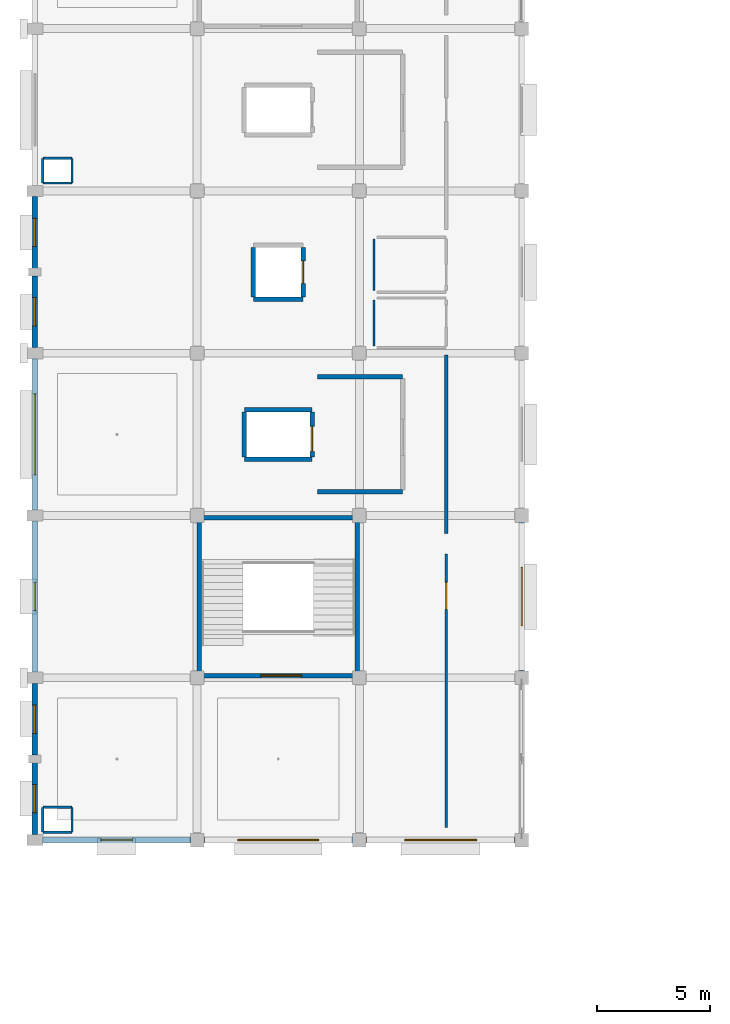
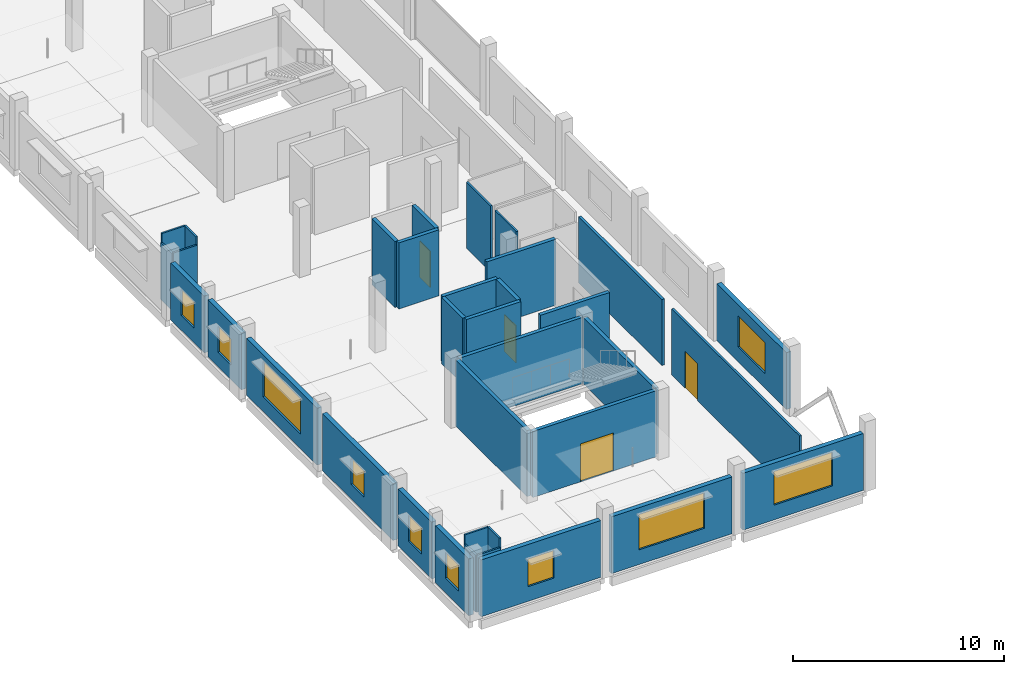
# One storey, part 14 of 26: 35 walls, 10 windows, 4 doors, 14 openings.
"""IFC4 building model written with IfcOpenShell, lengths in metres."""

import ifcopenshell
import ifcopenshell.guid

model = None  # the IFC model being written
_history = None  # IfcOwnerHistory: only IFC2X3 demands one
_inside = {}  # id of a spatial element -> (the spatial element, [elements in it])
_under = {}  # id of a project, library or spatial element -> (it, [spatial elements below it])
_declared = {}  # id of a project -> (the project, [libraries it declares])
_typed = {}  # id of a type object -> (the type object, [elements of that type])
_made_of = {}  # id of a material, layer set ... -> (it, [elements and type objects made of it])


def new_model(schema):
    """Start an empty IFC model of exactly this schema.

    Asked for "IFC4X3", IfcOpenShell would pick the latest addendum, in which some entities
    have other attributes; the version numbers below select the first issue.
    IFC2X3 requires an IfcOwnerHistory on every rooted entity: one is made here for all.
    """
    global model, _history
    if schema == "IFC4X3":
        model = ifcopenshell.file(schema_version=(4, 3, 0, 0))
    else:
        model = ifcopenshell.file(schema=schema)
    _inside.clear()
    _under.clear()
    _declared.clear()
    _typed.clear()
    _made_of.clear()
    _history = None
    if model.schema == "IFC2X3":
        org = make("IfcOrganization", Name="unknown")
        user = make(
            "IfcPersonAndOrganization",
            ThePerson=make("IfcPerson", FamilyName="unknown"),
            TheOrganization=org,
        )
        app = make(
            "IfcApplication",
            ApplicationDeveloper=org,
            Version="unknown",
            ApplicationFullName="unknown",
            ApplicationIdentifier="unknown",
        )
        _history = make(
            "IfcOwnerHistory",
            OwningUser=user,
            OwningApplication=app,
            ChangeAction="ADDED",
            CreationDate=0,
        )
    return model


def make(cls, **values):
    """One entity of the class cls with the attributes given. An attribute that is None is left unset."""
    return model.create_entity(
        cls, **{name: value for name, value in values.items() if value is not None}
    )


def rooted(cls, **values):
    """An entity with a GlobalId (a new one), such as an element, a storey or a relation."""
    return make(cls, GlobalId=ifcopenshell.guid.new(), OwnerHistory=_history, **values)


def si_unit(unit_type, name, prefix=None):
    """IfcSIUnit, for example si_unit("LENGTHUNIT", "METRE", prefix="MILLI")."""
    return make("IfcSIUnit", UnitType=unit_type, Prefix=prefix, Name=name)


def assignment(units):
    """IfcUnitAssignment: the units of a project."""
    return None if units is None else make("IfcUnitAssignment", Units=units)


def point(xyz):
    """IfcCartesianPoint."""
    return None if xyz is None else make("IfcCartesianPoint", Coordinates=xyz)


def direction(xyz):
    """IfcDirection."""
    return None if xyz is None else make("IfcDirection", DirectionRatios=xyz)


def frame(location, z_axis=None, x_axis=None):
    """IfcAxis2Placement3D, a coordinate frame: its origin and axes. An axis left out is left unset."""
    return make(
        "IfcAxis2Placement3D",
        Location=point(location),
        Axis=direction(z_axis),
        RefDirection=direction(x_axis),
    )


def frame_2d(location, x_axis=None):
    """IfcAxis2Placement2D, a coordinate frame in the plane: its origin and x axis."""
    return make(
        "IfcAxis2Placement2D", Location=point(location), RefDirection=direction(x_axis)
    )


def origin():
    """The frame at (0, 0, 0) with its axes left unset."""
    return frame((0.0, 0.0, 0.0))


def place(relative_to, where):
    """IfcLocalPlacement: puts the frame where relative to a parent placement (None: the world)."""
    return make(
        "IfcLocalPlacement", PlacementRelTo=relative_to, RelativePlacement=where
    )


def context(
    kind, dimensions, precision=None, world=None, true_north=None, identifier=None
):
    """IfcGeometricRepresentationContext, for example the 3D "Model" context."""
    return make(
        "IfcGeometricRepresentationContext",
        ContextIdentifier=identifier,
        ContextType=kind,
        CoordinateSpaceDimension=dimensions,
        Precision=precision,
        WorldCoordinateSystem=world,
        TrueNorth=true_north,
    )


def subcontext(parent, identifier, kind, view, scale=None):
    """IfcGeometricRepresentationSubContext, for example "Body" below "Model"."""
    return make(
        "IfcGeometricRepresentationSubContext",
        ContextIdentifier=identifier,
        ContextType=kind,
        ParentContext=parent,
        TargetScale=scale,
        TargetView=view,
    )


def project(units=None, contexts=None):
    """IfcProject with its units and contexts."""
    return rooted(
        "IfcProject",
        Name="project",
        RepresentationContexts=contexts,
        UnitsInContext=assignment(units),
    )


def spatial(cls, under=None, at=None, **own):
    """A site, building, storey or space (cls), placed at a placement, below another one or the project."""
    s = rooted(cls, ObjectPlacement=at, **own)
    if under is not None:
        _under.setdefault(under.id(), (under, []))[1].append(s)
    return s


def profile(cls, at=None, kind="AREA", **sizes):
    """A parametric profile (cls). Its sizes go by their IFC names, for example OverallWidth=200.0."""
    return make(cls, ProfileType=kind, Position=at, **sizes)


def rectangle(**sizes):
    """IfcRectangleProfileDef."""
    return profile("IfcRectangleProfileDef", **sizes)


def extrude(swept, where, along, depth):
    """IfcExtrudedAreaSolid: the profile swept, set in the frame where, extruded along a direction by depth."""
    return make(
        "IfcExtrudedAreaSolid",
        SweptArea=swept,
        Position=where,
        ExtrudedDirection=direction(along),
        Depth=depth,
    )


def shape(context_of_items, identifier, shape_type, items):
    """IfcShapeRepresentation: the items that make up one representation, for example the "Body"."""
    return make(
        "IfcShapeRepresentation",
        ContextOfItems=context_of_items,
        RepresentationIdentifier=identifier,
        RepresentationType=shape_type,
        Items=items,
    )


def material(Name=None, Category=None):
    """IfcMaterial."""
    return make("IfcMaterial", Name=Name, Category=Category)


def layer(
    of_material, thickness, ventilated=None, Name=None, Category=None, Priority=None
):
    """IfcMaterialLayer: one layer of a wall or slab, of a material (None: an air gap)."""
    return make(
        "IfcMaterialLayer",
        Material=of_material,
        LayerThickness=thickness,
        IsVentilated=ventilated,
        Name=Name,
        Category=Category,
        Priority=Priority,
    )


def layer_set(layers, Name=None):
    """IfcMaterialLayerSet."""
    return make("IfcMaterialLayerSet", MaterialLayers=layers, LayerSetName=Name)


def made_of(thing, what):
    """Note that an element or type object is made of a material, layer set ...; save() writes the relation."""
    if what is not None:
        _made_of.setdefault(what.id(), (what, []))[1].append(thing)
    return thing


def type_object(cls, material=None, **own):
    """A type object (cls), such as IfcWallType, which elements share."""
    return made_of(rooted(cls, **own), material)


def element(
    cls,
    number,
    at=None,
    inside=None,
    cuts=None,
    type_object=None,
    material=None,
    context=None,
    identifier="Body",
    shape_type=None,
    held_by="IfcProductDefinitionShape",
    body=None,
    shapes=None,
    **own,
):
    """One element of the class cls, such as IfcWall. Its Tag is "e" and its number.

    at: its placement. inside: the storey or other place that contains it. cuts: it is an
    opening in that element (IfcRelVoidsElement). A single representation is given by context,
    identifier, shape_type and body (its items); several are given by shapes. held_by: the class
    of the entity that holds the representations. save() writes the other relations.
    """
    e = rooted(cls, Tag="e%d" % number, ObjectPlacement=at, **own)
    if body is not None:
        shapes = [shape(context, identifier, shape_type, body)]
    if shapes is not None:
        e.Representation = make(held_by, Representations=shapes)
    if inside is not None:
        _inside.setdefault(inside.id(), (inside, []))[1].append(e)
    if cuts is not None:
        rooted(
            "IfcRelVoidsElement", RelatingBuildingElement=cuts, RelatedOpeningElement=e
        )
    if type_object is not None:
        _typed.setdefault(type_object.id(), (type_object, []))[1].append(e)
    return made_of(e, material)


def fill(opening, filler):
    """IfcRelFillsElement: the door or window that sits in an opening."""
    return rooted(
        "IfcRelFillsElement",
        RelatingOpeningElement=opening,
        RelatedBuildingElement=filler,
    )


def aggregate(whole, parts):
    """IfcRelAggregates: a whole, such as a stair, and the parts it consists of."""
    return rooted("IfcRelAggregates", RelatingObject=whole, RelatedObjects=parts)


def save(model, path):
    """Write the relations noted so far, then the file.

    IfcRelAggregates (storeys below a building ...), IfcRelContainedInSpatialStructure (elements
    in a storey), IfcRelDefinesByType, IfcRelAssociatesMaterial and IfcRelDeclares: one each for
    every whole, place, type object, material and project.
    """
    for whole, parts in _under.values():
        aggregate(whole, parts)
    for where, things in _inside.values():
        rooted(
            "IfcRelContainedInSpatialStructure",
            RelatedElements=things,
            RelatingStructure=where,
        )
    for kind, things in _typed.values():
        rooted("IfcRelDefinesByType", RelatedObjects=things, RelatingType=kind)
    for what, things in _made_of.values():
        rooted("IfcRelAssociatesMaterial", RelatedObjects=things, RelatingMaterial=what)
    for by, libraries in _declared.values():
        rooted("IfcRelDeclares", RelatingContext=by, RelatedDefinitions=libraries)
    model.write(path)


model = new_model("IFC4")

# Units and contexts
model_context = context("Model", 3, precision=1e-05, world=origin(), true_north=direction((0.0, 1.0)))
body_context = subcontext(model_context, "Body", "Model", "MODEL_VIEW")
ifc_project = project(units=[si_unit("LENGTHUNIT", "METRE"), si_unit("AREAUNIT", "SQUARE_METRE"), si_unit("VOLUMEUNIT", "CUBIC_METRE"), si_unit("PLANEANGLEUNIT", "RADIAN"), si_unit("MASSUNIT", "GRAM", prefix="KILO")], contexts=[model_context])

# Site, building, storey
site_placement = place(None, origin())
site = spatial("IfcSite", under=ifc_project, at=site_placement, CompositionType="ELEMENT")
building_placement = place(site_placement, origin())
building = spatial("IfcBuilding", under=site, at=building_placement, Name="Kangsadwip Square Police Headquarters", CompositionType="ELEMENT")
storey_placement = place(building_placement, frame((0.0, 0.0, 25.64990234375)))
storey = spatial("IfcBuildingStorey", under=building, at=storey_placement, Name="L06", CompositionType="ELEMENT", Elevation=25.64990234375)

# Wall, opening, door
ifc_material_1 = material(Name="Fire-rated double gypsum board acoustic stud partition", Category="masonry")
ifc_layer_1 = layer(ifc_material_1, 0.1201171875)
ifc_layer_set_1 = layer_set([ifc_layer_1], Name="Fire-rated double gypsum board acoustic stud partition")
wall_type_1 = type_object("IfcWallType", Name="AcousticPartition120", PredefinedType="PARTITIONING", material=ifc_layer_set_1)
wall_1_placement = place(storey_placement, frame((18.25, 36.550048828125, 0.0), z_axis=(0.0, 0.0, 1.0), x_axis=(0.0, 1.0, 0.0)))
wall_1 = element("IfcWall", 1, at=wall_1_placement, inside=storey, type_object=wall_type_1, Name="Interior Wall WI-L06-0922", PredefinedType="PARTITIONING", context=body_context, shape_type="SweptSolid", body=[
    extrude(rectangle(XDim=12.14990234375, YDim=0.1201171875, at=frame_2d((6.074951171875, 0.0))), origin(), (0.0, 0.0, 1.0), 3.830078125),
])
opening_1_placement = place(wall_1_placement, frame((9.679931640625, 0.0, 0.0)))
opening_1 = element("IfcOpeningElement", 2, at=opening_1_placement, cuts=wall_1, Name="Opening ID-12B", PredefinedType="OPENING", context=body_context, shape_type="SweptSolid", body=[
    extrude(rectangle(XDim=1.199951171875, YDim=2.14990234375, at=frame_2d((0.60009765625, 1.074951171875))), frame((0.0, 0.070068359375, 0.0), z_axis=(0.0, -1.0, 0.0), x_axis=(1.0, 0.0, 0.0)), (0.0, 0.0, 1.0), 0.14013671875),
])
ifc_material_2 = material(Name="Solid-core seasoned teak hardwood architectural door", Category="wood")
door_type_1 = type_object("IfcDoorType", Name="ClinicDoor1200x2150", OperationType="NOTDEFINED", PredefinedType="DOOR", material=ifc_material_2)
door_1_placement = place(opening_1_placement, origin())
door_1 = element("IfcDoor", 3, at=door_1_placement, inside=storey, type_object=door_type_1, Name="Interior Door ID-L06-0259", OperationType="SINGLE_SWING_RIGHT", OverallHeight=2.14990234375, OverallWidth=1.199951171875, PredefinedType="DOOR", context=body_context, shape_type="SweptSolid", body=[
    extrude(rectangle(XDim=1.199951171875, YDim=2.14990234375, at=frame_2d((0.60009765625, 1.074951171875))), frame((0.0, 0.02490234375, 0.0), z_axis=(0.0, -1.0, 0.0), x_axis=(1.0, 0.0, 0.0)), (0.0, 0.0, 1.0), 0.050048828125),
])
fill(opening_1, door_1)

# Wall
ifc_material_3 = material(Name="Autoclaved aerated concrete blockwork masonry", Category="masonry")
ifc_layer_2 = layer(ifc_material_3, 0.14990234375)
ifc_layer_set_2 = layer_set([ifc_layer_2], Name="Autoclaved aerated concrete blockwork masonry")
wall_type_2 = type_object("IfcWallType", Name="BlockPartition150", PredefinedType="PARTITIONING", material=ifc_layer_set_2)
wall_2_placement = place(storey_placement, frame((18.25, 49.60009765625, 0.0), z_axis=(0.0, 0.0, 1.0), x_axis=(0.0, 1.0, 0.0)))
element("IfcWall", 4, at=wall_2_placement, inside=storey, type_object=wall_type_2, Name="Interior Wall WI-L06-0924", PredefinedType="PARTITIONING", context=body_context, shape_type="SweptSolid", body=[
    extrude(rectangle(XDim=7.919921875, YDim=0.14990234375, at=frame_2d((3.9599609375, 0.0))), origin(), (0.0, 0.0, 1.0), 3.830078125),
])

# Wall, opening, window
ifc_material_4 = material(Name="Glazed architectural terracotta masonry rainscreen", Category="masonry")
ifc_layer_3 = layer(ifc_material_4, 0.25)
ifc_layer_set_3 = layer_set([ifc_layer_3], Name="Glazed architectural terracotta masonry rainscreen")
wall_type_3 = type_object("IfcWallType", Name="ChicagoTerracottaWall250", PredefinedType="SOLIDWALL", material=ifc_layer_set_3)
wall_3_placement = place(storey_placement, frame((0.344970703125, 36.0, 0.0), z_axis=(0.0, 0.0, 1.0), x_axis=(1.0, 0.0, 0.0)))
wall_3 = element("IfcWall", 5, at=wall_3_placement, inside=storey, type_object=wall_type_3, Name="Exterior Wall WE-L06-534", PredefinedType="SOLIDWALL", context=body_context, shape_type="SweptSolid", body=[
    extrude(rectangle(XDim=6.56005859375, YDim=0.25, at=frame_2d((3.280029296875, 0.0))), origin(), (0.0, 0.0, 1.0), 3.295166015625),
])
opening_2_placement = place(wall_3_placement, frame((2.580078125, 0.0, 0.85009765625)))
opening_2 = element("IfcOpeningElement", 6, at=opening_2_placement, cuts=wall_3, Name="Opening WN-13", PredefinedType="OPENING", context=body_context, shape_type="SweptSolid", body=[
    extrude(rectangle(XDim=1.39990234375, YDim=1.60009765625, at=frame_2d((0.699951171875, 0.800048828125))), frame((0.0, 0.135009765625, 0.0), z_axis=(0.0, -1.0, 0.0), x_axis=(1.0, 0.0, 0.0)), (0.0, 0.0, 1.0), 0.27001953125),
])
ifc_material_5 = material(Name="Double-glazed solar-control low-E safety glass", Category="glass")
window_type_1 = type_object("IfcWindowType", Name="OfficeCasementWin1400x1600", PartitioningType="SINGLE_PANEL", PredefinedType="WINDOW", material=ifc_material_5)
window_1_placement = place(opening_2_placement, origin())
window_1 = element("IfcWindow", 7, at=window_1_placement, inside=storey, type_object=window_type_1, Name="Window WN-L06-0383", OverallHeight=1.60009765625, OverallWidth=1.39990234375, PartitioningType="SINGLE_PANEL", PredefinedType="WINDOW", context=body_context, shape_type="SweptSolid", body=[
    extrude(rectangle(XDim=1.39990234375, YDim=1.60009765625, at=frame_2d((0.699951171875, 0.800048828125))), frame((0.0, 0.030029296875, 0.0), z_axis=(0.0, -1.0, 0.0), x_axis=(1.0, 0.0, 0.0)), (0.0, 0.0, 1.0), 0.06005859375),
])
fill(opening_2, window_1)

wall_4_placement = place(storey_placement, frame((7.4951171875, 36.0, 0.0), z_axis=(0.0, 0.0, 1.0), x_axis=(1.0, 0.0, 0.0)))
wall_4 = element("IfcWall", 8, at=wall_4_placement, inside=storey, type_object=wall_type_3, Name="Exterior Wall WE-L06-535", PredefinedType="SOLIDWALL", context=body_context, shape_type="SweptSolid", body=[
    extrude(rectangle(XDim=6.60986328125, YDim=0.25, at=frame_2d((3.304931640625, 0.0))), origin(), (0.0, 0.0, 1.0), 3.295166015625),
])
opening_3_placement = place(wall_4_placement, frame((1.5048828125, 0.0, 0.85009765625)))
opening_3 = element("IfcOpeningElement", 9, at=opening_3_placement, cuts=wall_4, Name="Opening WN-01", PredefinedType="OPENING", context=body_context, shape_type="SweptSolid", body=[
    extrude(rectangle(XDim=3.60009765625, YDim=2.050048828125, at=frame_2d((1.800048828125, 1.02490234375))), frame((0.0, 0.135009765625, 0.0), z_axis=(0.0, -1.0, 0.0), x_axis=(1.0, 0.0, 0.0)), (0.0, 0.0, 1.0), 0.27001953125),
])
ifc_material_6 = material(Name="Double-glazed solar-control low-E safety glass", Category="glass")
window_type_2 = type_object("IfcWindowType", Name="ChicagoTripartiteWin3600x2050", PartitioningType="TRIPLE_PANEL_HORIZONTAL", PredefinedType="WINDOW", material=ifc_material_6)
window_2_placement = place(opening_3_placement, origin())
window_2 = element("IfcWindow", 10, at=window_2_placement, inside=storey, type_object=window_type_2, Name="Window WN-L06-0384", OverallHeight=2.050048828125, OverallWidth=3.60009765625, PartitioningType="SINGLE_PANEL", PredefinedType="WINDOW", context=body_context, shape_type="SweptSolid", body=[
    extrude(rectangle(XDim=3.60009765625, YDim=2.050048828125, at=frame_2d((1.800048828125, 1.02490234375))), frame((0.0, 0.030029296875, 0.0), z_axis=(0.0, -1.0, 0.0), x_axis=(1.0, 0.0, 0.0)), (0.0, 0.0, 1.0), 0.06005859375),
])
fill(opening_3, window_2)

wall_5_placement = place(storey_placement, frame((14.695068359375, 36.0, 0.0), z_axis=(0.0, 0.0, 1.0), x_axis=(1.0, 0.0, 0.0)))
wall_5 = element("IfcWall", 11, at=wall_5_placement, inside=storey, type_object=wall_type_3, Name="Exterior Wall WE-L06-536", PredefinedType="SOLIDWALL", context=body_context, shape_type="SweptSolid", body=[
    extrude(rectangle(XDim=6.60986328125, YDim=0.25, at=frame_2d((3.304931640625, 0.0))), origin(), (0.0, 0.0, 1.0), 3.295166015625),
])
opening_4_placement = place(wall_5_placement, frame((1.705078125, 0.0, 0.85009765625)))
opening_4 = element("IfcOpeningElement", 12, at=opening_4_placement, cuts=wall_5, Name="Opening WN-03", PredefinedType="OPENING", context=body_context, shape_type="SweptSolid", body=[
    extrude(rectangle(XDim=3.199951171875, YDim=1.949951171875, at=frame_2d((1.60009765625, 0.97509765625))), frame((0.0, 0.135009765625, 0.0), z_axis=(0.0, -1.0, 0.0), x_axis=(1.0, 0.0, 0.0)), (0.0, 0.0, 1.0), 0.27001953125),
])
ifc_material_7 = material(Name="Double-glazed solar-control low-E safety glass", Category="glass")
window_type_3 = type_object("IfcWindowType", Name="ChicagoTripartiteWin3200x1950", PartitioningType="TRIPLE_PANEL_HORIZONTAL", PredefinedType="WINDOW", material=ifc_material_7)
window_3_placement = place(opening_4_placement, origin())
window_3 = element("IfcWindow", 13, at=window_3_placement, inside=storey, type_object=window_type_3, Name="Window WN-L06-0385", OverallHeight=1.949951171875, OverallWidth=3.199951171875, PartitioningType="SINGLE_PANEL", PredefinedType="WINDOW", context=body_context, shape_type="SweptSolid", body=[
    extrude(rectangle(XDim=3.199951171875, YDim=1.949951171875, at=frame_2d((1.60009765625, 0.97509765625))), frame((0.0, 0.030029296875, 0.0), z_axis=(0.0, -1.0, 0.0), x_axis=(1.0, 0.0, 0.0)), (0.0, 0.0, 1.0), 0.06005859375),
])
fill(opening_4, window_3)

wall_6_placement = place(storey_placement, frame((0.0, 36.2451171875, 0.0), z_axis=(0.0, 0.0, 1.0), x_axis=(0.0, 1.0, 0.0)))
wall_6 = element("IfcWall", 14, at=wall_6_placement, inside=storey, type_object=wall_type_3, Name="Exterior Wall WE-L06-546", PredefinedType="SOLIDWALL", context=body_context, shape_type="SweptSolid", body=[
    extrude(rectangle(XDim=3.184814453125, YDim=0.25, at=frame_2d((1.59228515625, 0.0))), origin(), (0.0, 0.0, 1.0), 3.295166015625),
])
opening_5_placement = place(wall_6_placement, frame((0.967529296875, 0.0, 0.85009765625)))
opening_5 = element("IfcOpeningElement", 15, at=opening_5_placement, cuts=wall_6, Name="Opening WN-14", PredefinedType="OPENING", context=body_context, shape_type="SweptSolid", body=[
    extrude(rectangle(XDim=1.25, YDim=1.5, at=frame_2d((0.625, 0.75))), frame((0.0, 0.135009765625, 0.0), z_axis=(0.0, -1.0, 0.0), x_axis=(1.0, 0.0, 0.0)), (0.0, 0.0, 1.0), 0.27001953125),
])
ifc_material_8 = material(Name="Double-glazed solar-control low-E safety glass", Category="glass")
window_type_4 = type_object("IfcWindowType", Name="OfficeCasementWin1250x1500", PartitioningType="SINGLE_PANEL", PredefinedType="WINDOW", material=ifc_material_8)
window_4_placement = place(opening_5_placement, origin())
window_4 = element("IfcWindow", 16, at=window_4_placement, inside=storey, type_object=window_type_4, Name="Window WN-L06-0395", OverallHeight=1.5, OverallWidth=1.25, PartitioningType="SINGLE_PANEL", PredefinedType="WINDOW", context=body_context, shape_type="SweptSolid", body=[
    extrude(rectangle(XDim=1.25, YDim=1.5, at=frame_2d((0.625, 0.75))), frame((0.0, 0.030029296875, 0.0), z_axis=(0.0, -1.0, 0.0), x_axis=(1.0, 0.0, 0.0)), (0.0, 0.0, 1.0), 0.06005859375),
])
fill(opening_5, window_4)

wall_7_placement = place(storey_placement, frame((0.0, 39.77001953125, 0.0), z_axis=(0.0, 0.0, 1.0), x_axis=(0.0, 1.0, 0.0)))
wall_7 = element("IfcWall", 17, at=wall_7_placement, inside=storey, type_object=wall_type_3, Name="Exterior Wall WE-L06-547", PredefinedType="SOLIDWALL", context=body_context, shape_type="SweptSolid", body=[
    extrude(rectangle(XDim=3.18505859375, YDim=0.25, at=frame_2d((1.592529296875, 0.0))), origin(), (0.0, 0.0, 1.0), 3.295166015625),
])
opening_6_placement = place(wall_7_placement, frame((0.967529296875, 0.0, 0.85009765625)))
opening_6 = element("IfcOpeningElement", 18, at=opening_6_placement, cuts=wall_7, Name="Opening WN-14", PredefinedType="OPENING", context=body_context, shape_type="SweptSolid", body=[
    extrude(rectangle(XDim=1.25, YDim=1.5, at=frame_2d((0.625, 0.75))), frame((0.0, 0.135009765625, 0.0), z_axis=(0.0, -1.0, 0.0), x_axis=(1.0, 0.0, 0.0)), (0.0, 0.0, 1.0), 0.27001953125),
])
window_5_placement = place(opening_6_placement, origin())
window_5 = element("IfcWindow", 19, at=window_5_placement, inside=storey, type_object=window_type_4, Name="Window WN-L06-0396", OverallHeight=1.5, OverallWidth=1.25, PartitioningType="SINGLE_PANEL", PredefinedType="WINDOW", context=body_context, shape_type="SweptSolid", body=[
    extrude(rectangle(XDim=1.25, YDim=1.5, at=frame_2d((0.625, 0.75))), frame((0.0, 0.030029296875, 0.0), z_axis=(0.0, -1.0, 0.0), x_axis=(1.0, 0.0, 0.0)), (0.0, 0.0, 1.0), 0.06005859375),
])
fill(opening_6, window_5)

wall_8_placement = place(storey_placement, frame((0.0, 43.445068359375, 0.0), z_axis=(0.0, 0.0, 1.0), x_axis=(0.0, 1.0, 0.0)))
wall_8 = element("IfcWall", 20, at=wall_8_placement, inside=storey, type_object=wall_type_3, Name="Exterior Wall WE-L06-548", PredefinedType="SOLIDWALL", context=body_context, shape_type="SweptSolid", body=[
    extrude(rectangle(XDim=6.7099609375, YDim=0.25, at=frame_2d((3.35498046875, 0.0))), origin(), (0.0, 0.0, 1.0), 3.295166015625),
])
opening_7_placement = place(wall_8_placement, frame((2.72998046875, 0.0, 0.85009765625)))
opening_7 = element("IfcOpeningElement", 21, at=opening_7_placement, cuts=wall_8, Name="Opening WN-14", PredefinedType="OPENING", context=body_context, shape_type="SweptSolid", body=[
    extrude(rectangle(XDim=1.25, YDim=1.5, at=frame_2d((0.625, 0.75))), frame((0.0, 0.135009765625, 0.0), z_axis=(0.0, -1.0, 0.0), x_axis=(1.0, 0.0, 0.0)), (0.0, 0.0, 1.0), 0.27001953125),
])
window_6_placement = place(opening_7_placement, origin())
window_6 = element("IfcWindow", 22, at=window_6_placement, inside=storey, type_object=window_type_4, Name="Window WN-L06-0397", OverallHeight=1.5, OverallWidth=1.25, PartitioningType="SINGLE_PANEL", PredefinedType="WINDOW", context=body_context, shape_type="SweptSolid", body=[
    extrude(rectangle(XDim=1.25, YDim=1.5, at=frame_2d((0.625, 0.75))), frame((0.0, 0.030029296875, 0.0), z_axis=(0.0, -1.0, 0.0), x_axis=(1.0, 0.0, 0.0)), (0.0, 0.0, 1.0), 0.06005859375),
])
fill(opening_7, window_6)

wall_9_placement = place(storey_placement, frame((0.0, 50.64501953125, 0.0), z_axis=(0.0, 0.0, 1.0), x_axis=(0.0, 1.0, 0.0)))
wall_9 = element("IfcWall", 23, at=wall_9_placement, inside=storey, type_object=wall_type_3, Name="Exterior Wall WE-L06-549", PredefinedType="SOLIDWALL", context=body_context, shape_type="SweptSolid", body=[
    extrude(rectangle(XDim=6.7099609375, YDim=0.25, at=frame_2d((3.35498046875, 0.0))), origin(), (0.0, 0.0, 1.0), 3.295166015625),
])
opening_8_placement = place(wall_9_placement, frame((1.554931640625, 0.0, 0.85009765625)))
opening_8 = element("IfcOpeningElement", 24, at=opening_8_placement, cuts=wall_9, Name="Opening WN-01", PredefinedType="OPENING", context=body_context, shape_type="SweptSolid", body=[
    extrude(rectangle(XDim=3.60009765625, YDim=2.050048828125, at=frame_2d((1.800048828125, 1.02490234375))), frame((0.0, 0.135009765625, 0.0), z_axis=(0.0, -1.0, 0.0), x_axis=(1.0, 0.0, 0.0)), (0.0, 0.0, 1.0), 0.27001953125),
])
window_7_placement = place(opening_8_placement, origin())
window_7 = element("IfcWindow", 25, at=window_7_placement, inside=storey, type_object=window_type_2, Name="Window WN-L06-0398", OverallHeight=2.050048828125, OverallWidth=3.60009765625, PartitioningType="SINGLE_PANEL", PredefinedType="WINDOW", context=body_context, shape_type="SweptSolid", body=[
    extrude(rectangle(XDim=3.60009765625, YDim=2.050048828125, at=frame_2d((1.800048828125, 1.02490234375))), frame((0.0, 0.030029296875, 0.0), z_axis=(0.0, -1.0, 0.0), x_axis=(1.0, 0.0, 0.0)), (0.0, 0.0, 1.0), 0.06005859375),
])
fill(opening_8, window_7)

wall_10_placement = place(storey_placement, frame((0.0, 57.844970703125, 0.0), z_axis=(0.0, 0.0, 1.0), x_axis=(0.0, 1.0, 0.0)))
wall_10 = element("IfcWall", 26, at=wall_10_placement, inside=storey, type_object=wall_type_3, Name="Exterior Wall WE-L06-550", PredefinedType="SOLIDWALL", context=body_context, shape_type="SweptSolid", body=[
    extrude(rectangle(XDim=3.18505859375, YDim=0.25, at=frame_2d((1.592529296875, 0.0))), origin(), (0.0, 0.0, 1.0), 3.295166015625),
])
opening_9_placement = place(wall_10_placement, frame((0.967529296875, 0.0, 0.85009765625)))
opening_9 = element("IfcOpeningElement", 27, at=opening_9_placement, cuts=wall_10, Name="Opening WN-14", PredefinedType="OPENING", context=body_context, shape_type="SweptSolid", body=[
    extrude(rectangle(XDim=1.25, YDim=1.5, at=frame_2d((0.625, 0.75))), frame((0.0, 0.135009765625, 0.0), z_axis=(0.0, -1.0, 0.0), x_axis=(1.0, 0.0, 0.0)), (0.0, 0.0, 1.0), 0.27001953125),
])
window_8_placement = place(opening_9_placement, origin())
window_8 = element("IfcWindow", 28, at=window_8_placement, inside=storey, type_object=window_type_4, Name="Window WN-L06-0399", OverallHeight=1.5, OverallWidth=1.25, PartitioningType="SINGLE_PANEL", PredefinedType="WINDOW", context=body_context, shape_type="SweptSolid", body=[
    extrude(rectangle(XDim=1.25, YDim=1.5, at=frame_2d((0.625, 0.75))), frame((0.0, 0.030029296875, 0.0), z_axis=(0.0, -1.0, 0.0), x_axis=(1.0, 0.0, 0.0)), (0.0, 0.0, 1.0), 0.06005859375),
])
fill(opening_9, window_8)

wall_11_placement = place(storey_placement, frame((0.0, 61.3701171875, 0.0), z_axis=(0.0, 0.0, 1.0), x_axis=(0.0, 1.0, 0.0)))
wall_11 = element("IfcWall", 29, at=wall_11_placement, inside=storey, type_object=wall_type_3, Name="Exterior Wall WE-L06-551", PredefinedType="SOLIDWALL", context=body_context, shape_type="SweptSolid", body=[
    extrude(rectangle(XDim=3.184814453125, YDim=0.25, at=frame_2d((1.59228515625, 0.0))), origin(), (0.0, 0.0, 1.0), 3.295166015625),
])
opening_10_placement = place(wall_11_placement, frame((0.967529296875, 0.0, 0.85009765625)))
opening_10 = element("IfcOpeningElement", 30, at=opening_10_placement, cuts=wall_11, Name="Opening WN-14", PredefinedType="OPENING", context=body_context, shape_type="SweptSolid", body=[
    extrude(rectangle(XDim=1.25, YDim=1.5, at=frame_2d((0.625, 0.75))), frame((0.0, 0.135009765625, 0.0), z_axis=(0.0, -1.0, 0.0), x_axis=(1.0, 0.0, 0.0)), (0.0, 0.0, 1.0), 0.27001953125),
])
window_9_placement = place(opening_10_placement, origin())
window_9 = element("IfcWindow", 31, at=window_9_placement, inside=storey, type_object=window_type_4, Name="Window WN-L06-0400", OverallHeight=1.5, OverallWidth=1.25, PartitioningType="SINGLE_PANEL", PredefinedType="WINDOW", context=body_context, shape_type="SweptSolid", body=[
    extrude(rectangle(XDim=1.25, YDim=1.5, at=frame_2d((0.625, 0.75))), frame((0.0, 0.030029296875, 0.0), z_axis=(0.0, -1.0, 0.0), x_axis=(1.0, 0.0, 0.0)), (0.0, 0.0, 1.0), 0.06005859375),
])
fill(opening_10, window_9)

wall_12_placement = place(storey_placement, frame((21.60009765625, 43.4951171875, 0.0), z_axis=(0.0, 0.0, 1.0), x_axis=(0.0, 1.0, 0.0)))
wall_12 = element("IfcWall", 32, at=wall_12_placement, inside=storey, type_object=wall_type_3, Name="Exterior Wall WE-L06-557", PredefinedType="SOLIDWALL", context=body_context, shape_type="SweptSolid", body=[
    extrude(rectangle(XDim=6.60986328125, YDim=0.25, at=frame_2d((3.304931640625, 0.0))), origin(), (0.0, 0.0, 1.0), 3.295166015625),
])
opening_11_placement = place(wall_12_placement, frame((2.0048828125, 0.0, 0.85009765625)))
opening_11 = element("IfcOpeningElement", 33, at=opening_11_placement, cuts=wall_12, Name="Opening WN-06", PredefinedType="OPENING", context=body_context, shape_type="SweptSolid", body=[
    extrude(rectangle(XDim=2.60009765625, YDim=1.800048828125, at=frame_2d((1.300048828125, 0.89990234375))), frame((0.0, 0.135009765625, 0.0), z_axis=(0.0, -1.0, 0.0), x_axis=(1.0, 0.0, 0.0)), (0.0, 0.0, 1.0), 0.27001953125),
])
ifc_material_9 = material(Name="Double-glazed solar-control low-E safety glass", Category="glass")
window_type_5 = type_object("IfcWindowType", Name="ChicagoDoubleMullWin2600x1800", PartitioningType="DOUBLE_PANEL_VERTICAL", PredefinedType="WINDOW", material=ifc_material_9)
window_10_placement = place(opening_11_placement, origin())
window_10 = element("IfcWindow", 34, at=window_10_placement, inside=storey, type_object=window_type_5, Name="Window WN-L06-0406", OverallHeight=1.800048828125, OverallWidth=2.60009765625, PartitioningType="SINGLE_PANEL", PredefinedType="WINDOW", context=body_context, shape_type="SweptSolid", body=[
    extrude(rectangle(XDim=2.60009765625, YDim=1.800048828125, at=frame_2d((1.300048828125, 0.89990234375))), frame((0.0, 0.030029296875, 0.0), z_axis=(0.0, -1.0, 0.0), x_axis=(1.0, 0.0, 0.0)), (0.0, 0.0, 1.0), 0.06005859375),
])
fill(opening_11, window_10)

# Wall, opening, door
ifc_material_10 = material(Name="Concrete M40 (40 MPa)", Category="concrete")
ifc_layer_4 = layer(ifc_material_10, 0.199951171875)
ifc_layer_set_4 = layer_set([ifc_layer_4], Name="Concrete M40 (40 MPa)")
wall_type_4 = type_object("IfcWallType", Name="CoreShearWall200", PredefinedType="SHEAR", material=ifc_layer_set_4)
wall_13_placement = place(storey_placement, frame((7.39990234375, 43.300048828125, 0.0), z_axis=(0.0, 0.0, 1.0), x_axis=(1.0, 0.0, 0.0)))
wall_13 = element("IfcWall", 35, at=wall_13_placement, inside=storey, type_object=wall_type_4, Name="Interior Wall WI-L06-0037", PredefinedType="SHEAR", context=body_context, shape_type="SweptSolid", body=[
    extrude(rectangle(XDim=6.800048828125, YDim=0.199951171875, at=frame_2d((3.39990234375, 0.0))), origin(), (0.0, 0.0, 1.0), 3.830078125),
])
opening_12_placement = place(wall_13_placement, frame((2.632080078125, 0.0, 0.0)))
opening_12 = element("IfcOpeningElement", 36, at=opening_12_placement, cuts=wall_13, Name="Opening FD-18", PredefinedType="OPENING", context=body_context, shape_type="SweptSolid", body=[
    extrude(rectangle(XDim=1.800048828125, YDim=2.199951171875, at=frame_2d((0.89990234375, 1.10009765625))), frame((0.0, 0.10986328125, 0.0), z_axis=(0.0, -1.0, 0.0), x_axis=(1.0, 0.0, 0.0)), (0.0, 0.0, 1.0), 0.219970703125),
])
ifc_material_11 = material(Name="Insulated galvanized steel fire-rated door assembly", Category="steel")
door_type_2 = type_object("IfcDoorType", Name="StairFireDoor1800x2200", OperationType="DOUBLE_DOOR_SINGLE_SWING", PredefinedType="DOOR", material=ifc_material_11)
door_2_placement = place(opening_12_placement, origin())
door_2 = element("IfcDoor", 37, at=door_2_placement, inside=storey, type_object=door_type_2, Name="Interior Door ID-L06-0008", OperationType="DOUBLE_DOOR_SINGLE_SWING", OverallHeight=2.199951171875, OverallWidth=1.800048828125, PredefinedType="DOOR", context=body_context, shape_type="SweptSolid", body=[
    extrude(rectangle(XDim=1.800048828125, YDim=2.199951171875, at=frame_2d((0.89990234375, 1.10009765625))), frame((0.0, 0.02490234375, 0.0), z_axis=(0.0, -1.0, 0.0), x_axis=(1.0, 0.0, 0.0)), (0.0, 0.0, 1.0), 0.050048828125),
])
fill(opening_12, door_2)

# Walls
for number, where, z_axis, x_axis, name in (
    (38, (7.39990234375, 50.300048828125, 0.0), (0.0, 0.0, 1.0), (1.0, 0.0, 0.0), "Interior Wall WI-L06-0038"),
    (39, (7.300048828125, 43.39990234375, 0.0), (0.0, 0.0, 1.0), (0.0, 1.0, 0.0), "Interior Wall WI-L06-0039"),
    (40, (14.300048828125, 43.39990234375, 0.0), (0.0, 0.0, 1.0), (0.0, 1.0, 0.0), "Interior Wall WI-L06-0040"),
):
    element("IfcWall", number, at=place(storey_placement, frame(where, z_axis=z_axis, x_axis=x_axis)), inside=storey, type_object=wall_type_4, Name=name, PredefinedType="SHEAR", context=body_context, shape_type="SweptSolid", body=[
        extrude(rectangle(XDim=6.800048828125, YDim=0.199951171875, at=frame_2d((3.39990234375, 0.0))), origin(), (0.0, 0.0, 1.0), 3.830078125),
    ])
for number, where, z_axis, x_axis, name in (
    (41, (9.300048828125, 52.89990234375, 0.0), (0.0, 0.0, 1.0), (1.0, 0.0, 0.0), "Interior Wall WI-L06-0259"),
    (42, (9.300048828125, 55.10009765625, 0.0), (0.0, 0.0, 1.0), (1.0, 0.0, 0.0), "Interior Wall WI-L06-0260"),
):
    element("IfcWall", number, at=place(storey_placement, frame(where, z_axis=z_axis, x_axis=x_axis)), inside=storey, type_object=wall_type_4, Name=name, PredefinedType="SHEAR", context=body_context, shape_type="SweptSolid", body=[
        extrude(rectangle(XDim=3.0, YDim=0.199951171875, at=frame_2d((1.5, 0.0))), origin(), (0.0, 0.0, 1.0), 3.830078125),
    ])
wall_14_placement = place(storey_placement, frame((9.300048828125, 53.0, 0.0), z_axis=(0.0, 0.0, 1.0), x_axis=(0.0, 1.0, 0.0)))
element("IfcWall", 43, at=wall_14_placement, inside=storey, type_object=wall_type_4, Name="Interior Wall WI-L06-0261", PredefinedType="SHEAR", context=body_context, shape_type="SweptSolid", body=[
    extrude(rectangle(XDim=2.0, YDim=0.199951171875, at=frame_2d((1.0, 0.0))), origin(), (0.0, 0.0, 1.0), 3.830078125),
])

# Wall, opening, door
wall_15_placement = place(storey_placement, frame((12.300048828125, 53.0, 0.0), z_axis=(0.0, 0.0, 1.0), x_axis=(0.0, 1.0, 0.0)))
wall_15 = element("IfcWall", 44, at=wall_15_placement, inside=storey, type_object=wall_type_4, Name="Interior Wall WI-L06-0262", PredefinedType="SHEAR", context=body_context, shape_type="SweptSolid", body=[
    extrude(rectangle(XDim=2.0, YDim=0.199951171875, at=frame_2d((1.0, 0.0))), origin(), (0.0, 0.0, 1.0), 3.830078125),
])
opening_13_placement = place(wall_15_placement, frame((0.25, 0.0, 0.0)))
opening_13 = element("IfcOpeningElement", 45, at=opening_13_placement, cuts=wall_15, Name="Opening LD-008", PredefinedType="OPENING", context=body_context, shape_type="SweptSolid", body=[
    extrude(rectangle(XDim=1.10009765625, YDim=2.14990234375, at=frame_2d((0.550048828125, 1.074951171875))), frame((0.0, 0.10986328125, 0.0), z_axis=(0.0, -1.0, 0.0), x_axis=(1.0, 0.0, 0.0)), (0.0, 0.0, 1.0), 0.219970703125),
])
ifc_material_12 = material(Name="Brushed stainless steel automatic sliding lift landing door", Category="steel")
door_type_3 = type_object("IfcDoorType", Name="LiftLandingDoor1100x2150", OperationType="DOUBLE_DOOR_SLIDING", PredefinedType="DOOR", material=ifc_material_12)
door_3_placement = place(opening_13_placement, origin())
door_3 = element("IfcDoor", 46, at=door_3_placement, inside=storey, type_object=door_type_3, Name="Interior Door LD-008", OperationType="DOUBLE_DOOR_SLIDING", OverallHeight=2.14990234375, OverallWidth=1.10009765625, PredefinedType="DOOR", context=body_context, shape_type="SweptSolid", body=[
    extrude(rectangle(XDim=1.10009765625, YDim=2.14990234375, at=frame_2d((0.550048828125, 1.074951171875))), frame((0.0, 0.02490234375, 0.0), z_axis=(0.0, -1.0, 0.0), x_axis=(1.0, 0.0, 0.0)), (0.0, 0.0, 1.0), 0.050048828125),
])
fill(opening_13, door_3)

# Walls
for number, where, z_axis, x_axis, name in (
    (47, (9.699951171875, 60.0, 0.0), (0.0, 0.0, 1.0), (1.0, 0.0, 0.0), "Interior Wall WI-L06-0375"),
    (48, (9.699951171875, 60.10009765625, 0.0), (0.0, 0.0, 1.0), (0.0, 1.0, 0.0), "Interior Wall WI-L06-0377"),
):
    element("IfcWall", number, at=place(storey_placement, frame(where, z_axis=z_axis, x_axis=x_axis)), inside=storey, type_object=wall_type_4, Name=name, PredefinedType="SHEAR", context=body_context, shape_type="SweptSolid", body=[
        extrude(rectangle(XDim=2.199951171875, YDim=0.199951171875, at=frame_2d((1.10009765625, 0.0))), origin(), (0.0, 0.0, 1.0), 3.830078125),
    ])

# Wall, opening, door
wall_16_placement = place(storey_placement, frame((11.89990234375, 60.10009765625, 0.0), z_axis=(0.0, 0.0, 1.0), x_axis=(0.0, 1.0, 0.0)))
wall_16 = element("IfcWall", 49, at=wall_16_placement, inside=storey, type_object=wall_type_4, Name="Interior Wall WI-L06-0378", PredefinedType="SHEAR", context=body_context, shape_type="SweptSolid", body=[
    extrude(rectangle(XDim=2.199951171875, YDim=0.199951171875, at=frame_2d((1.10009765625, 0.0))), origin(), (0.0, 0.0, 1.0), 3.830078125),
])
opening_14_placement = place(wall_16_placement, frame((0.60009765625, 0.0, 0.0)))
opening_14 = element("IfcOpeningElement", 50, at=opening_14_placement, cuts=wall_16, Name="Opening LD-034", PredefinedType="OPENING", context=body_context, shape_type="SweptSolid", body=[
    extrude(rectangle(XDim=1.0, YDim=2.10009765625, at=frame_2d((0.5, 1.050048828125))), frame((0.0, 0.10986328125, 0.0), z_axis=(0.0, -1.0, 0.0), x_axis=(1.0, 0.0, 0.0)), (0.0, 0.0, 1.0), 0.219970703125),
])
ifc_material_13 = material(Name="Brushed stainless steel automatic sliding lift landing door", Category="steel")
door_type_4 = type_object("IfcDoorType", Name="LiftLandingDoor1000x2100", OperationType="DOUBLE_DOOR_SLIDING", PredefinedType="DOOR", material=ifc_material_13)
door_4_placement = place(opening_14_placement, origin())
door_4 = element("IfcDoor", 51, at=door_4_placement, inside=storey, type_object=door_type_4, Name="Interior Door LD-034", OperationType="DOUBLE_DOOR_SLIDING", OverallHeight=2.10009765625, OverallWidth=1.0, PredefinedType="DOOR", context=body_context, shape_type="SweptSolid", body=[
    extrude(rectangle(XDim=1.0, YDim=2.10009765625, at=frame_2d((0.5, 1.050048828125))), frame((0.0, 0.02490234375, 0.0), z_axis=(0.0, -1.0, 0.0), x_axis=(1.0, 0.0, 0.0)), (0.0, 0.0, 1.0), 0.050048828125),
])
fill(opening_14, door_4)

# Walls
ifc_material_14 = material(Name="Concrete M40 (40 MPa)", Category="concrete")
ifc_layer_5 = layer(ifc_material_14, 0.199951171875)
ifc_layer_set_5 = layer_set([ifc_layer_5], Name="Concrete M40 (40 MPa)")
wall_type_5 = type_object("IfcWallType", Name="CustodySecurityWall200", PredefinedType="SOLIDWALL", material=ifc_layer_set_5)
for number, where, z_axis, x_axis, name in (
    (52, (12.5400390625, 51.449951171875, 0.0), (0.0, 0.0, 1.0), (1.0, 0.0, 0.0), "Interior Wall WI-L06-0902"),
    (53, (12.5400390625, 56.550048828125, 0.0), (0.0, 0.0, 1.0), (1.0, 0.0, 0.0), "Interior Wall WI-L06-0903"),
):
    element("IfcWall", number, at=place(storey_placement, frame(where, z_axis=z_axis, x_axis=x_axis)), inside=storey, type_object=wall_type_5, Name=name, PredefinedType="SOLIDWALL", context=body_context, shape_type="SweptSolid", body=[
        extrude(rectangle(XDim=3.780029296875, YDim=0.199951171875, at=frame_2d((1.89013671875, 0.0))), origin(), (0.0, 0.0, 1.0), 3.830078125),
    ])
ifc_material_15 = material(Name="Autoclaved aerated concrete blockwork masonry", Category="masonry")
ifc_layer_6 = layer(ifc_material_15, 0.10009765625)
ifc_layer_set_6 = layer_set([ifc_layer_6], Name="Autoclaved aerated concrete blockwork masonry")
wall_type_6 = type_object("IfcWallType", Name="WetWallPartition100", PredefinedType="PARTITIONING", material=ifc_layer_set_6)
wall_17_placement = place(storey_placement, frame((0.35009765625, 36.35009765625, 0.0), z_axis=(0.0, 0.0, 1.0), x_axis=(1.0, 0.0, 0.0)))
element("IfcWall", 54, at=wall_17_placement, inside=storey, type_object=wall_type_6, Name="Interior Wall WI-L06-0539", PredefinedType="PARTITIONING", context=body_context, shape_type="SweptSolid", body=[
    extrude(rectangle(XDim=1.2998046875, YDim=0.10009765625, at=frame_2d((0.64990234375, 0.0))), origin(), (0.0, 0.0, 1.0), 3.300048828125),
])
wall_18_placement = place(storey_placement, frame((0.35009765625, 37.449951171875, 0.0), z_axis=(0.0, 0.0, 1.0), x_axis=(1.0, 0.0, 0.0)))
element("IfcWall", 55, at=wall_18_placement, inside=storey, type_object=wall_type_6, Name="Interior Wall WI-L06-0540", PredefinedType="PARTITIONING", context=body_context, shape_type="SweptSolid", body=[
    extrude(rectangle(XDim=1.2998046875, YDim=0.10009765625, at=frame_2d((0.64990234375, 0.0))), origin(), (0.0, 0.0, 1.0), 3.830078125),
])
wall_19_placement = place(storey_placement, frame((0.35009765625, 36.35009765625, 0.0), z_axis=(0.0, 0.0, 1.0), x_axis=(0.0, 1.0, 0.0)))
element("IfcWall", 56, at=wall_19_placement, inside=storey, type_object=wall_type_6, Name="Interior Wall WI-L06-0541", PredefinedType="PARTITIONING", context=body_context, shape_type="SweptSolid", body=[
    extrude(rectangle(XDim=1.099853515625, YDim=0.10009765625, at=frame_2d((0.5498046875, 0.0))), origin(), (0.0, 0.0, 1.0), 3.300048828125),
])
wall_20_placement = place(storey_placement, frame((1.64990234375, 36.35009765625, 0.0), z_axis=(0.0, 0.0, 1.0), x_axis=(0.0, 1.0, 0.0)))
element("IfcWall", 57, at=wall_20_placement, inside=storey, type_object=wall_type_6, Name="Interior Wall WI-L06-0542", PredefinedType="PARTITIONING", context=body_context, shape_type="SweptSolid", body=[
    extrude(rectangle(XDim=1.099853515625, YDim=0.10009765625, at=frame_2d((0.5498046875, 0.0))), origin(), (0.0, 0.0, 1.0), 3.830078125),
])
wall_21_placement = place(storey_placement, frame((0.35009765625, 65.14990234375, 0.0), z_axis=(0.0, 0.0, 1.0), x_axis=(1.0, 0.0, 0.0)))
element("IfcWall", 58, at=wall_21_placement, inside=storey, type_object=wall_type_6, Name="Interior Wall WI-L06-0571", PredefinedType="PARTITIONING", context=body_context, shape_type="SweptSolid", body=[
    extrude(rectangle(XDim=1.2998046875, YDim=0.10009765625, at=frame_2d((0.64990234375, 0.0))), origin(), (0.0, 0.0, 1.0), 3.3701171875),
])
wall_22_placement = place(storey_placement, frame((0.35009765625, 66.25, 0.0), z_axis=(0.0, 0.0, 1.0), x_axis=(1.0, 0.0, 0.0)))
element("IfcWall", 59, at=wall_22_placement, inside=storey, type_object=wall_type_6, Name="Interior Wall WI-L06-0572", PredefinedType="PARTITIONING", context=body_context, shape_type="SweptSolid", body=[
    extrude(rectangle(XDim=1.2998046875, YDim=0.10009765625, at=frame_2d((0.64990234375, 0.0))), origin(), (0.0, 0.0, 1.0), 3.830078125),
])
wall_23_placement = place(storey_placement, frame((0.35009765625, 65.14990234375, 0.0), z_axis=(0.0, 0.0, 1.0), x_axis=(0.0, 1.0, 0.0)))
element("IfcWall", 60, at=wall_23_placement, inside=storey, type_object=wall_type_6, Name="Interior Wall WI-L06-0573", PredefinedType="PARTITIONING", context=body_context, shape_type="SweptSolid", body=[
    extrude(rectangle(XDim=1.10009765625, YDim=0.10009765625, at=frame_2d((0.550048828125, 0.0))), origin(), (0.0, 0.0, 1.0), 3.300048828125),
])
wall_24_placement = place(storey_placement, frame((1.64990234375, 65.14990234375, 0.0), z_axis=(0.0, 0.0, 1.0), x_axis=(0.0, 1.0, 0.0)))
element("IfcWall", 61, at=wall_24_placement, inside=storey, type_object=wall_type_6, Name="Interior Wall WI-L06-0574", PredefinedType="PARTITIONING", context=body_context, shape_type="SweptSolid", body=[
    extrude(rectangle(XDim=1.10009765625, YDim=0.10009765625, at=frame_2d((0.550048828125, 0.0))), origin(), (0.0, 0.0, 1.0), 3.830078125),
])
wall_25_placement = place(storey_placement, frame((15.050048828125, 57.929931640625, 0.0), z_axis=(0.0, 0.0, 1.0), x_axis=(0.0, 1.0, 0.0)))
element("IfcWall", 62, at=wall_25_placement, inside=storey, type_object=wall_type_6, Name="Interior Wall WI-L06-0913", PredefinedType="PARTITIONING", context=body_context, shape_type="SweptSolid", body=[
    extrude(rectangle(XDim=2.0400390625, YDim=0.10009765625, at=frame_2d((1.02001953125, 0.0))), origin(), (0.0, 0.0, 1.0), 3.830078125),
])
wall_26_placement = place(storey_placement, frame((15.050048828125, 60.3798828125, 0.0), z_axis=(0.0, 0.0, 1.0), x_axis=(0.0, 1.0, 0.0)))
element("IfcWall", 63, at=wall_26_placement, inside=storey, type_object=wall_type_6, Name="Interior Wall WI-L06-0917", PredefinedType="PARTITIONING", context=body_context, shape_type="SweptSolid", body=[
    extrude(rectangle(XDim=2.2900390625, YDim=0.10009765625, at=frame_2d((1.14501953125, 0.0))), origin(), (0.0, 0.0, 1.0), 3.830078125),
])

save(model, "model.ifc")
